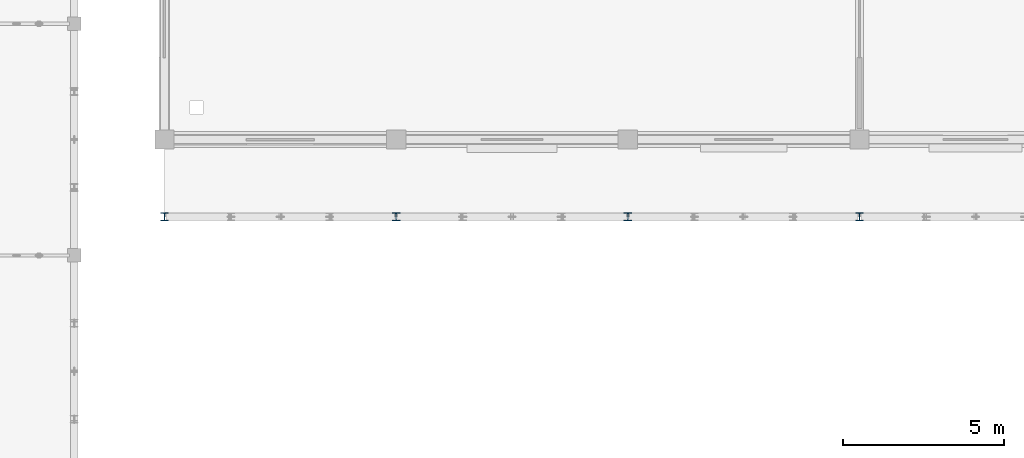
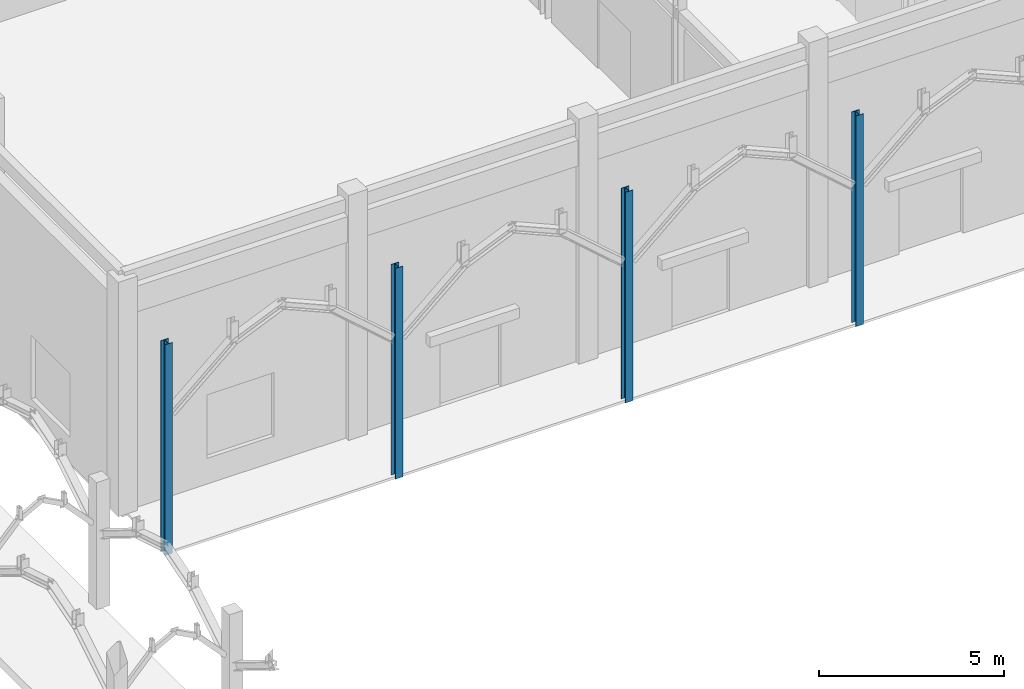
# One storey, part 2 of 138: 4 columns.
"""IFC4 building model written with IfcOpenShell, lengths in metres."""

from ifc_helpers import new_model, si_unit, direction, frame, origin, origin_2d, place, context, subcontext, project, spatial, i_section, extrude, material, material_profile, profile_set, type_object, element, save


model = new_model("IFC4")

# Units and contexts
model_context = context("Model", 3, precision=1e-05, world=origin(), true_north=direction((0.0, 1.0)))
body_context = subcontext(model_context, "Body", "Model", "MODEL_VIEW")
ifc_project = project(units=[si_unit("LENGTHUNIT", "METRE"), si_unit("AREAUNIT", "SQUARE_METRE"), si_unit("VOLUMEUNIT", "CUBIC_METRE"), si_unit("PLANEANGLEUNIT", "RADIAN"), si_unit("MASSUNIT", "GRAM", prefix="KILO"), si_unit("THERMODYNAMICTEMPERATUREUNIT", "KELVIN"), si_unit("POWERUNIT", "WATT")], contexts=[model_context])

# Site, building, storey
site_placement = place(None, origin())
site = spatial("IfcSite", under=ifc_project, at=site_placement, CompositionType="ELEMENT")
building_placement = place(site_placement, origin())
building = spatial("IfcBuilding", under=site, at=building_placement, Name="Tavuni Mirador Residences", CompositionType="ELEMENT")
storey_placement = place(building_placement, origin())
storey = spatial("IfcBuildingStorey", under=building, at=storey_placement, Name="L00", CompositionType="ELEMENT", Elevation=0.0)

# Columns
ifc_material = material(Name="Structural steel S355", Category="steel")
ifc_material_profile = material_profile(ifc_material, i_section(OverallWidth=0.239990234375, OverallDepth=0.239990234375, WebThickness=0.010009765625, FlangeThickness=0.01708984375, FilletRadius=0.02099609375, at=origin_2d()), Name="HEB 240", Category="steel")
ifc_profile_set = profile_set([ifc_material_profile], Name="Structural steel S355")
column_type = type_object("IfcColumnType", Name="CT-ST-HEB240", PredefinedType="COLUMN", material=ifc_profile_set)
for number, where, z_axis, x_axis, name in (
    (1, (39.60009765625, 69.60009765625, 0.0), (0.0, 0.0, 1.0), (1.0, 0.0, 0.0), "COL-HALL-EAVE-S-00"),
    (2, (46.800048828125, 69.60009765625, 0.0), (0.0, 0.0, 1.0), (1.0, 0.0, 0.0), "COL-HALL-EAVE-S-01"),
    (3, (54.0, 69.60009765625, 0.0), (0.0, 0.0, 1.0), (1.0, 0.0, 0.0), "COL-HALL-EAVE-S-02"),
    (4, (61.199951171875, 69.60009765625, 0.0), (0.0, 0.0, 1.0), (1.0, 0.0, 0.0), "COL-HALL-EAVE-S-03"),
):
    element("IfcColumn", number, at=place(storey_placement, frame(where, z_axis=z_axis, x_axis=x_axis)), inside=storey, type_object=column_type, Name=name, PredefinedType="COLUMN", context=body_context, shape_type="SweptSolid", body=[
        extrude(i_section(OverallWidth=0.239990234375, OverallDepth=0.239990234375, WebThickness=0.010009765625, FlangeThickness=0.01708984375, FilletRadius=0.02099609375, at=origin_2d()), origin(), (0.0, 0.0, 1.0), 6.96337890625),
    ])

save(model, "model.ifc")
